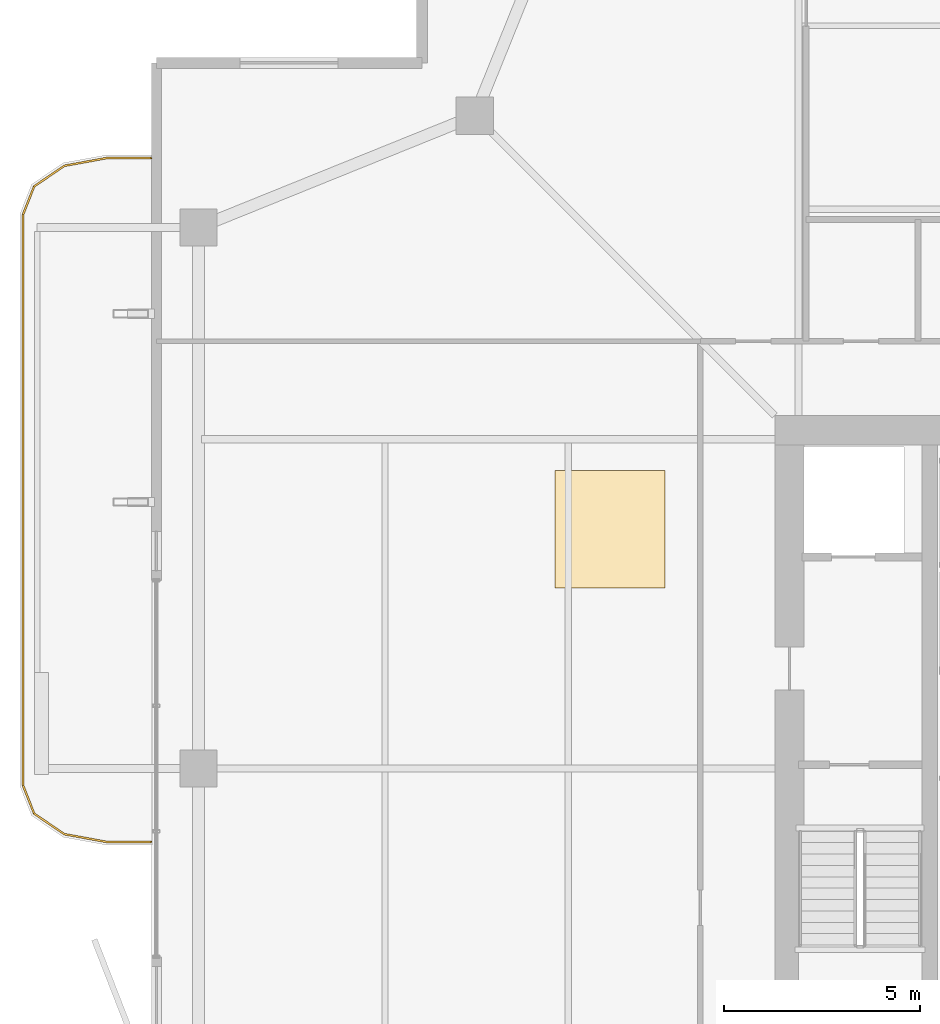
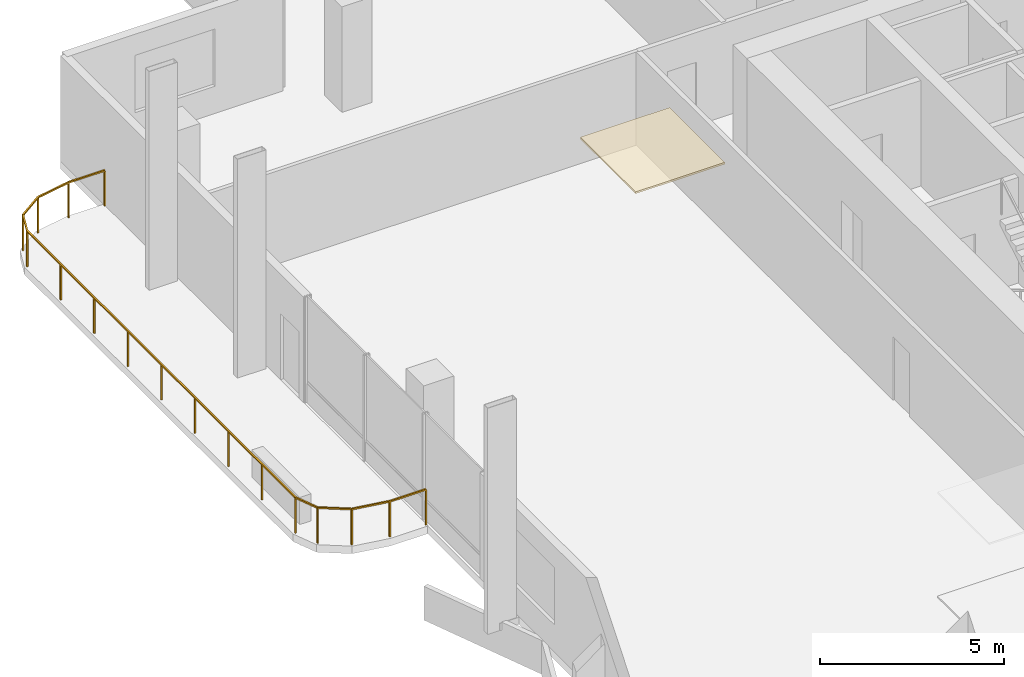
# One storey, part 24 of 25: 1 covering, 1 railing.
"""IFC4 building model written with IfcOpenShell, lengths in metres."""

from ifc_helpers import new_model, si_unit, direction, frame, origin, origin_2d, place, context, subcontext, project, spatial, polyline, rectangle, outline, extrude, material, layer, layer_set, type_object, element, save


model = new_model("IFC4")

# Units and contexts
model_context = context("Model", 3, precision=1e-05, world=origin(), true_north=direction((0.0, 1.0)))
body_context = subcontext(model_context, "Body", "Model", "MODEL_VIEW")
ifc_project = project(units=[si_unit("LENGTHUNIT", "METRE"), si_unit("AREAUNIT", "SQUARE_METRE"), si_unit("VOLUMEUNIT", "CUBIC_METRE"), si_unit("PLANEANGLEUNIT", "RADIAN"), si_unit("MASSUNIT", "GRAM", prefix="KILO")], contexts=[model_context])

# Site, building, storey
site_placement = place(None, origin())
site = spatial("IfcSite", under=ifc_project, at=site_placement, CompositionType="ELEMENT")
building_placement = place(site_placement, origin())
building = spatial("IfcBuilding", under=site, at=building_placement, Name="Belovzor Exchange Tower", CompositionType="ELEMENT")
storey_placement = place(building_placement, frame((0.0, 0.0, 265.35009765625)))
storey = spatial("IfcBuildingStorey", under=building, at=storey_placement, Name="L66", CompositionType="ELEMENT", Elevation=265.35009765625)

# Railing
ifc_material_1 = material(Name="Stainless Steel and Laminated Safety Glass", Category="steel")
railing_type = type_object("IfcRailingType", Name="Laminated Glass & Stainless Steel Balcony Balustrade 1200", PredefinedType="BALUSTRADE", material=ifc_material_1)
railing_placement = place(storey_placement, frame((3.889892578125, 44.3701171875, 0.0)))
element("IfcRailing", 1, at=railing_placement, inside=storey, type_object=railing_type, Name="GR-1 Balcony Balustrade L66 West", PredefinedType="BALUSTRADE", context=body_context, shape_type="SweptSolid", body=[
    extrude(rectangle(XDim=0.048095703125, YDim=0.048095703125, at=origin_2d()), frame((0.0, 0.0, 1.17578125), z_axis=(-1.0, 0.0, 0.0), x_axis=(0.0, -1.0, 0.0)), (0.0, 0.0, 1.0), 1.1328125),
    extrude(rectangle(XDim=0.048095703125, YDim=0.048095703125, at=origin_2d()), frame((-1.1328125, 0.0, 1.17578125), z_axis=(-0.983651385113, -0.180083182347, 0.0), x_axis=(0.180083182347, -0.983651385113, 0.0)), (0.0, 0.0, 1.0), 1.093994140625),
    extrude(rectangle(XDim=0.048095703125, YDim=0.048095703125, at=origin_2d()), frame((-2.208984375, -0.197021484375, 1.17578125), z_axis=(-0.826493025367, -0.56294695933, 0.0), x_axis=(0.56294695933, -0.826493025367, 0.0)), (0.0, 0.0, 1.0), 0.932861328125),
    extrude(rectangle(XDim=0.048095703125, YDim=0.048095703125, at=origin_2d()), frame((-2.97998046875, -0.72216796875, 1.17578125), z_axis=(-0.365612923861, -0.930766990125, 0.0), x_axis=(0.930766990125, -0.365612923861, 0.0)), (0.0, 0.0, 1.0), 0.765869140625),
    extrude(rectangle(XDim=0.048095703125, YDim=0.048095703125, at=origin_2d()), frame((-3.260009765625, -1.43505859375, 1.17578125), z_axis=(0.0, -1.0, 0.0), x_axis=(1.0, 0.0, 0.0)), (0.0, 0.0, 1.0), 14.570068359375),
    extrude(rectangle(XDim=0.048095703125, YDim=0.048095703125, at=origin_2d()), frame((-3.260009765625, -16.005126953125, 1.17578125), z_axis=(0.365612923861, -0.930766990125, 0.0), x_axis=(0.930766990125, 0.365612923861, 0.0)), (0.0, 0.0, 1.0), 0.765869140625),
    extrude(rectangle(XDim=0.048095703125, YDim=0.048095703125, at=origin_2d()), frame((-2.97998046875, -16.718017578125, 1.17578125), z_axis=(0.826493025367, -0.56294695933, 0.0), x_axis=(0.56294695933, 0.826493025367, 0.0)), (0.0, 0.0, 1.0), 0.932861328125),
    extrude(rectangle(XDim=0.048095703125, YDim=0.048095703125, at=origin_2d()), frame((-2.208984375, -17.2431640625, 1.17578125), z_axis=(0.983651385113, -0.180083182347, 0.0), x_axis=(0.180083182347, 0.983651385113, 0.0)), (0.0, 0.0, 1.0), 1.093994140625),
    extrude(rectangle(XDim=0.048095703125, YDim=0.048095703125, at=origin_2d()), frame((-1.1328125, -17.440185546875, 1.17578125), z_axis=(1.0, 0.0, 0.0), x_axis=(0.0, 1.0, 0.0)), (0.0, 0.0, 1.0), 1.1328125),
    extrude(rectangle(XDim=0.0419921875, YDim=0.0419921875, at=origin_2d()), origin(), (0.0, 0.0, 1.0), 1.15185546875),
    extrude(rectangle(XDim=0.0419921875, YDim=0.0419921875, at=origin_2d()), frame((-1.1328125, 0.0, 0.0)), (0.0, 0.0, 1.0), 1.15185546875),
    extrude(rectangle(XDim=0.0419921875, YDim=0.0419921875, at=origin_2d()), frame((-2.208984375, -0.197021484375, 0.0)), (0.0, 0.0, 1.0), 1.15185546875),
    extrude(rectangle(XDim=0.0419921875, YDim=0.0419921875, at=origin_2d()), frame((-2.97998046875, -0.72216796875, 0.0)), (0.0, 0.0, 1.0), 1.15185546875),
    extrude(rectangle(XDim=0.0419921875, YDim=0.0419921875, at=origin_2d()), frame((-3.260009765625, -1.43505859375, 0.0)), (0.0, 0.0, 1.0), 1.15185546875),
    extrude(rectangle(XDim=0.0419921875, YDim=0.0419921875, at=origin_2d()), frame((-3.260009765625, -3.25634765625, 0.0)), (0.0, 0.0, 1.0), 1.15185546875),
    extrude(rectangle(XDim=0.0419921875, YDim=0.0419921875, at=origin_2d()), frame((-3.260009765625, -5.07763671875, 0.0)), (0.0, 0.0, 1.0), 1.15185546875),
    extrude(rectangle(XDim=0.0419921875, YDim=0.0419921875, at=origin_2d()), frame((-3.260009765625, -6.89892578125, 0.0)), (0.0, 0.0, 1.0), 1.15185546875),
    extrude(rectangle(XDim=0.0419921875, YDim=0.0419921875, at=origin_2d()), frame((-3.260009765625, -8.72021484375, 0.0)), (0.0, 0.0, 1.0), 1.15185546875),
    extrude(rectangle(XDim=0.0419921875, YDim=0.0419921875, at=origin_2d()), frame((-3.260009765625, -10.541259765625, 0.0)), (0.0, 0.0, 1.0), 1.15185546875),
    extrude(rectangle(XDim=0.0419921875, YDim=0.0419921875, at=origin_2d()), frame((-3.260009765625, -12.362548828125, 0.0)), (0.0, 0.0, 1.0), 1.15185546875),
    extrude(rectangle(XDim=0.0419921875, YDim=0.0419921875, at=origin_2d()), frame((-3.260009765625, -14.183837890625, 0.0)), (0.0, 0.0, 1.0), 1.15185546875),
    extrude(rectangle(XDim=0.0419921875, YDim=0.0419921875, at=origin_2d()), frame((-3.260009765625, -16.005126953125, 0.0)), (0.0, 0.0, 1.0), 1.15185546875),
    extrude(rectangle(XDim=0.0419921875, YDim=0.0419921875, at=origin_2d()), frame((-2.97998046875, -16.718017578125, 0.0)), (0.0, 0.0, 1.0), 1.15185546875),
    extrude(rectangle(XDim=0.0419921875, YDim=0.0419921875, at=origin_2d()), frame((-2.208984375, -17.2431640625, 0.0)), (0.0, 0.0, 1.0), 1.15185546875),
    extrude(rectangle(XDim=0.0419921875, YDim=0.0419921875, at=origin_2d()), frame((-1.1328125, -17.440185546875, 0.0)), (0.0, 0.0, 1.0), 1.15185546875),
    extrude(rectangle(XDim=0.0419921875, YDim=0.0419921875, at=origin_2d()), frame((0.0, -17.440185546875, 0.0)), (0.0, 0.0, 1.0), 1.15185546875),
])

# Covering
ifc_material_2 = material(Name="Perforated Powder-Coated Aluminium", Category="aluminium")
ifc_layer = layer(ifc_material_2, 0.06005859375)
ifc_layer_set = layer_set([ifc_layer], Name="Perforated Powder-Coated Aluminium")
covering_type = type_object("IfcCoveringType", Name="Perforated Acoustic Metal Tile Suspended Ceiling 60", PredefinedType="CEILING", material=ifc_layer_set)
covering_placement = place(storey_placement, frame((0.0, 0.0, 3.43994140625)))
element("IfcCovering", 2, at=covering_placement, inside=storey, type_object=covering_type, Name="CLG-AC60 Suspended Ceiling CLG-L66-Z3", PredefinedType="CEILING", context=body_context, shape_type="SweptSolid", body=[
    extrude(outline(polyline([(14.199951171875, 33.39990234375), (17.0, 33.39990234375), (17.0, 36.39990234375), (14.199951171875, 36.39990234375), (14.199951171875, 33.39990234375)])), origin(), (0.0, 0.0, 1.0), 0.06005859375),
])

save(model, "model.ifc")
